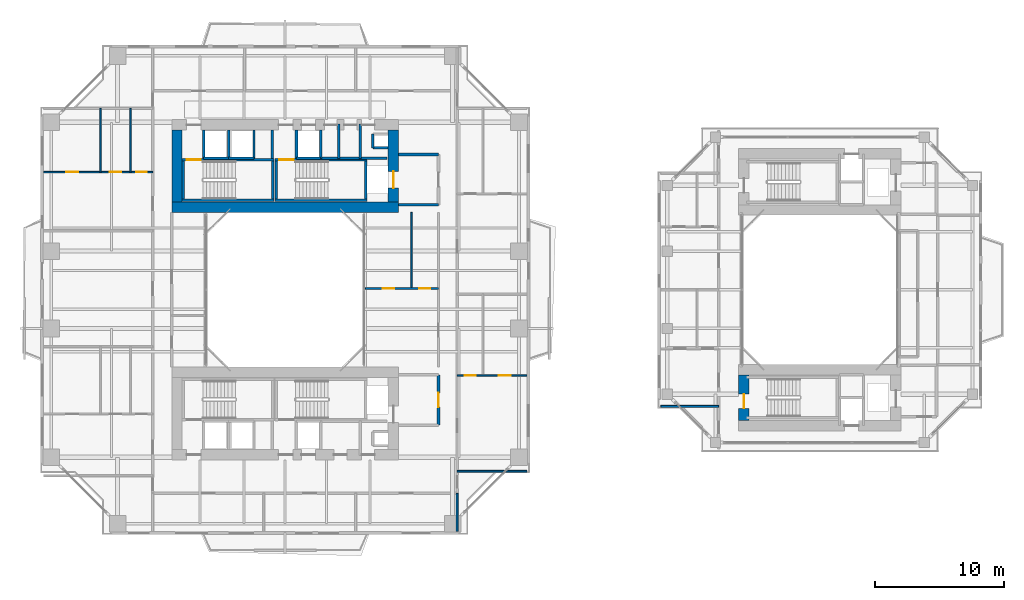
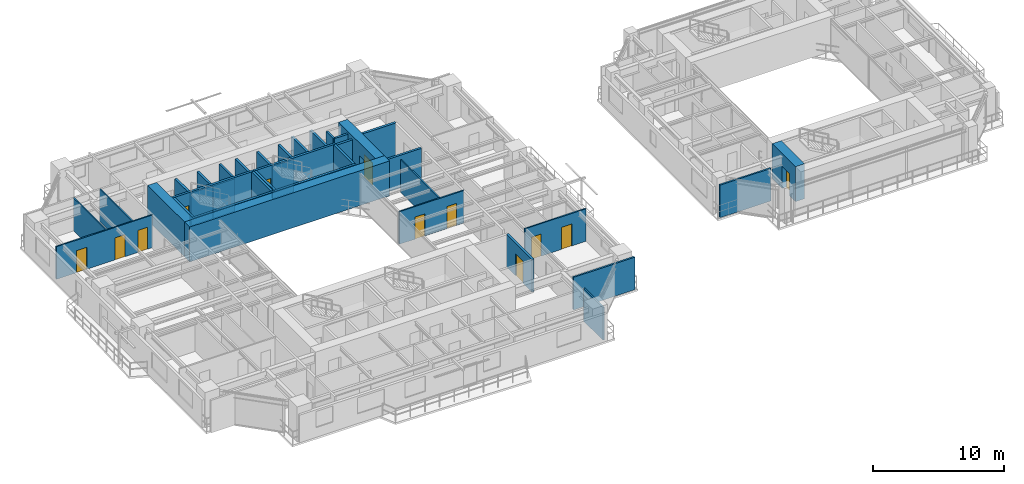
# One storey, part 14 of 23: 38 walls, 12 doors, 12 openings.
"""IFC4 building model written with IfcOpenShell, lengths in metres."""

from ifc_helpers import new_model, si_unit, direction, frame, frame_2d, origin, place, context, subcontext, project, spatial, rectangle, extrude, source, transform, mapped, material, layer, layer_set, type_object, element, fill, save


model = new_model("IFC4")

# Units and contexts
model_context = context("Model", 3, precision=1e-05, world=origin(), true_north=direction((0.0, 1.0)))
body_context = subcontext(model_context, "Body", "Model", "MODEL_VIEW")
ifc_project = project(units=[si_unit("LENGTHUNIT", "METRE"), si_unit("AREAUNIT", "SQUARE_METRE"), si_unit("VOLUMEUNIT", "CUBIC_METRE"), si_unit("PLANEANGLEUNIT", "RADIAN"), si_unit("MASSUNIT", "GRAM", prefix="KILO"), si_unit("THERMODYNAMICTEMPERATUREUNIT", "KELVIN"), si_unit("POWERUNIT", "WATT")], contexts=[model_context])

# Site, building, storey
site_placement = place(None, origin())
site = spatial("IfcSite", under=ifc_project, at=site_placement, CompositionType="ELEMENT")
building_placement = place(site_placement, origin())
building = spatial("IfcBuilding", under=site, at=building_placement, Name="Qiaomeng Ring Towers", CompositionType="ELEMENT")
storey_placement = place(building_placement, frame((0.0, 0.0, 89.25)))
storey = spatial("IfcBuildingStorey", under=building, at=storey_placement, Name="L25", CompositionType="ELEMENT", Elevation=89.25)

# Walls
ifc_material_1 = material(Name="Autoclaved aerated concrete block", Category="concrete")
ifc_layer_1 = layer(ifc_material_1, 0.199951171875, Name="Autoclaved aerated concrete block")
ifc_layer_set_1 = layer_set([ifc_layer_1], Name="Autoclaved aerated concrete block")
wall_type_1 = type_object("IfcWallType", Name="ARC-WL-PW1", PredefinedType="PARTITIONING", material=ifc_layer_set_1)
for number, where, z_axis, x_axis, name in (
    (1, (27.800048828125, 29.60009765625, 0.0), (0.0, 0.0, 1.0), (1.0, 0.0, 0.0), "L25 Interior Wall PW1"),
    (2, (27.800048828125, 33.5, 0.0), (0.0, 0.0, 1.0), (1.0, 0.0, 0.0), "L25 Interior Wall PW1"),
):
    element("IfcWall", number, at=place(storey_placement, frame(where, z_axis=z_axis, x_axis=x_axis)), inside=storey, type_object=wall_type_1, Name=name, PredefinedType="PARTITIONING", context=body_context, shape_type="SweptSolid", body=[
        extrude(rectangle(XDim=3.099853515625, YDim=0.199951171875, at=frame_2d((1.5498046875, 0.0))), origin(), (0.0, 0.0, 1.0), 3.030029296875),
    ])

# Wall, opening, door
wall_1_placement = place(storey_placement, frame((30.89990234375, 12.5, 0.0), z_axis=(0.0, 0.0, 1.0), x_axis=(0.0, 1.0, 0.0)))
wall_1 = element("IfcWall", 3, at=wall_1_placement, inside=storey, type_object=wall_type_1, Name="L25 Interior Wall PW1", PredefinedType="PARTITIONING", context=body_context, shape_type="SweptSolid", body=[
    extrude(rectangle(XDim=3.89990234375, YDim=0.199951171875, at=frame_2d((1.949951171875, 0.0))), origin(), (0.0, 0.0, 1.0), 3.030029296875),
])
opening_1_placement = place(wall_1_placement, frame((1.39990234375, 0.0, 0.0)))
opening_1 = element("IfcOpeningElement", 4, at=opening_1_placement, cuts=wall_1, Name="Opening FD3", PredefinedType="OPENING", context=body_context, shape_type="SweptSolid", body=[
    extrude(rectangle(XDim=1.10009765625, YDim=2.050048828125, at=frame_2d((0.550048828125, 1.02490234375))), frame((0.0, 0.10986328125, 0.0), z_axis=(0.0, -1.0, 0.0), x_axis=(1.0, 0.0, 0.0)), (0.0, 0.0, 1.0), 0.219970703125),
])
ifc_material_2 = material(Name="Galvanised steel", Category="steel")
door_type_1 = type_object("IfcDoorType", Name="ARC-DR-FD3", OperationType="NOTDEFINED", PredefinedType="DOOR", material=ifc_material_2)
shared_shape_1 = source(origin(), body_context, "Body", "SweptSolid", [
    extrude(rectangle(XDim=1.10009765625, YDim=2.050048828125, at=frame_2d((0.550048828125, 1.02490234375))), frame((0.0, 0.02490234375, 0.0), z_axis=(0.0, -1.0, 0.0), x_axis=(1.0, 0.0, 0.0)), (0.0, 0.0, 1.0), 0.050048828125),
])
door_1_placement = place(opening_1_placement, origin())
door_1 = element("IfcDoor", 5, at=door_1_placement, inside=storey, type_object=door_type_1, Name="L25 South FF Lobby Door", OperationType="SINGLE_SWING_LEFT", OverallHeight=2.050048828125, OverallWidth=1.10009765625, PredefinedType="DOOR", context=body_context, shape_type="MappedRepresentation", body=[
    mapped(shared_shape_1, transform((0.0, 0.0, 0.0), x_axis=(1.0, 0.0, 0.0), y_axis=(0.0, 1.0, 0.0), z_axis=(0.0, 0.0, 1.0), scale=1.0)),
])
fill(opening_1, door_1)

# Walls
for number, where, z_axis, x_axis, name in (
    (6, (12.679931640625, 33.18994140625, 0.0), (0.0, 0.0, 1.0), (0.0, 1.0, 0.0), "L25 Interior Wall PW1"),
    (7, (18.0, 33.18994140625, 0.0), (0.0, 0.0, 1.0), (0.0, 1.0, 0.0), "L25 Interior Wall PW1"),
    (8, (19.8798828125, 33.18994140625, 0.0), (0.0, 0.0, 1.0), (0.0, 1.0, 0.0), "L25 Interior Wall PW1"),
):
    element("IfcWall", number, at=place(storey_placement, frame(where, z_axis=z_axis, x_axis=x_axis)), inside=storey, type_object=wall_type_1, Name=name, PredefinedType="PARTITIONING", context=body_context, shape_type="SweptSolid", body=[
        extrude(rectangle(XDim=2.2099609375, YDim=0.199951171875, at=frame_2d((1.10498046875, 0.0))), origin(), (0.0, 0.0, 1.0), 3.030029296875),
    ])
wall_2_placement = place(storey_placement, frame((24.820068359375, 33.199951171875, 0.0), z_axis=(0.0, 0.0, 1.0), x_axis=(0.0, 1.0, 0.0)))
element("IfcWall", 9, at=wall_2_placement, inside=storey, type_object=wall_type_1, Name="L25 Interior Wall PW1", PredefinedType="PARTITIONING", context=body_context, shape_type="SweptSolid", body=[
    extrude(rectangle(XDim=2.650146484375, YDim=0.199951171875, at=frame_2d((1.3251953125, 0.0))), origin(), (0.0, 0.0, 1.0), 3.030029296875),
])
wall_3_placement = place(storey_placement, frame((21.75, 33.199951171875, 0.0), z_axis=(0.0, 0.0, 1.0), x_axis=(0.0, 1.0, 0.0)))
element("IfcWall", 10, at=wall_3_placement, inside=storey, type_object=wall_type_1, Name="L25 Interior Wall PW1", PredefinedType="PARTITIONING", context=body_context, shape_type="SweptSolid", body=[
    extrude(rectangle(XDim=2.199951171875, YDim=0.199951171875, at=frame_2d((1.10009765625, 0.0))), origin(), (0.0, 0.0, 1.0), 3.030029296875),
])
wall_4_placement = place(storey_placement, frame((23.169921875, 33.199951171875, 0.0), z_axis=(0.0, 0.0, 1.0), x_axis=(0.0, 1.0, 0.0)))
element("IfcWall", 11, at=wall_4_placement, inside=storey, type_object=wall_type_1, Name="L25 Interior Wall PW1", PredefinedType="PARTITIONING", context=body_context, shape_type="SweptSolid", body=[
    extrude(rectangle(XDim=2.650146484375, YDim=0.199951171875, at=frame_2d((1.3251953125, 0.0))), origin(), (0.0, 0.0, 1.0), 3.030029296875),
])
wall_5_placement = place(storey_placement, frame((21.75, 33.199951171875, 0.0), z_axis=(0.0, 0.0, 1.0), x_axis=(1.0, 0.0, 0.0)))
element("IfcWall", 12, at=wall_5_placement, inside=storey, type_object=wall_type_1, Name="L25 Interior Wall PW1", PredefinedType="PARTITIONING", context=body_context, shape_type="SweptSolid", body=[
    extrude(rectangle(XDim=5.169921875, YDim=0.199951171875, at=frame_2d((2.5849609375, 0.0))), origin(), (0.0, 0.0, 1.0), 3.030029296875),
])
ifc_material_3 = material(Name="Gypsum fireboard steel-stud partition", Category="steel")
ifc_layer_2 = layer(ifc_material_3, 0.14990234375, Name="Gypsum fireboard steel-stud partition")
ifc_layer_set_2 = layer_set([ifc_layer_2], Name="Gypsum fireboard steel-stud partition")
wall_type_2 = type_object("IfcWallType", Name="ARC-WL-PW3", PredefinedType="PARTITIONING", material=ifc_layer_set_2)
wall_6_placement = place(storey_placement, frame((32.35009765625, 4.25, 0.0), z_axis=(0.0, 0.0, 1.0), x_axis=(0.0, 1.0, 0.0)))
element("IfcWall", 13, at=wall_6_placement, inside=storey, type_object=wall_type_2, Name="L25 Interior Wall PW3", PredefinedType="PARTITIONING", context=body_context, shape_type="SweptSolid", body=[
    extrude(rectangle(XDim=2.9599609375, YDim=0.14990234375, at=frame_2d((1.47998046875, 0.0))), origin(), (0.0, 0.0, 1.0), 3.030029296875),
])
wall_7_placement = place(storey_placement, frame((32.35009765625, 8.919921875, 0.0), z_axis=(0.0, 0.0, 1.0), x_axis=(1.0, 0.0, 0.0)))
element("IfcWall", 14, at=wall_7_placement, inside=storey, type_object=wall_type_2, Name="L25 Interior Wall PW3", PredefinedType="PARTITIONING", context=body_context, shape_type="SweptSolid", body=[
    extrude(rectangle(XDim=5.39990234375, YDim=0.14990234375, at=frame_2d((2.699951171875, 0.0))), origin(), (0.0, 0.0, 1.0), 3.030029296875),
])
wall_8_placement = place(storey_placement, frame((48.14990234375, 13.949951171875, 0.0), z_axis=(0.0, 0.0, 1.0), x_axis=(1.0, 0.0, 0.0)))
element("IfcWall", 15, at=wall_8_placement, inside=storey, type_object=wall_type_2, Name="L25 Interior Wall PW3", PredefinedType="PARTITIONING", context=body_context, shape_type="SweptSolid", body=[
    extrude(rectangle(XDim=4.5, YDim=0.14990234375, at=frame_2d((2.25, 0.0))), origin(), (0.0, 0.0, 1.0), 3.030029296875),
])

# Wall, openings, doors
ifc_material_4 = material(Name="Moisture-resistant gypsum steel-stud partition", Category="steel")
ifc_layer_3 = layer(ifc_material_4, 0.1201171875, Name="Moisture-resistant gypsum steel-stud partition")
ifc_layer_set_3 = layer_set([ifc_layer_3], Name="Moisture-resistant gypsum steel-stud partition")
wall_type_3 = type_object("IfcWallType", Name="ARC-WL-PW4", PredefinedType="PLUMBINGWALL", material=ifc_layer_set_3)
wall_9_placement = place(storey_placement, frame((0.25, 32.139892578125, 0.0), z_axis=(0.0, 0.0, 1.0), x_axis=(1.0, 0.0, 0.0)))
wall_9 = element("IfcWall", 16, at=wall_9_placement, inside=storey, type_object=wall_type_3, Name="L25 Interior Wall PW4", PredefinedType="PLUMBINGWALL", context=body_context, shape_type="SweptSolid", body=[
    extrude(rectangle(XDim=8.469970703125, YDim=0.1201171875, at=frame_2d((4.23486328125, 0.0))), origin(), (0.0, 0.0, 1.0), 3.030029296875),
])
opening_2_placement = place(wall_9_placement, frame((1.77490234375, 0.0, 0.0)))
opening_2 = element("IfcOpeningElement", 17, at=opening_2_placement, cuts=wall_9, Name="Opening ID1", PredefinedType="OPENING", context=body_context, shape_type="SweptSolid", body=[
    extrude(rectangle(XDim=0.89990234375, YDim=2.050048828125, at=frame_2d((0.449951171875, 1.02490234375))), frame((0.0, 0.070068359375, 0.0), z_axis=(0.0, -1.0, 0.0), x_axis=(1.0, 0.0, 0.0)), (0.0, 0.0, 1.0), 0.14013671875),
])
opening_3_placement = place(wall_9_placement, frame((5.139892578125, 0.0, 0.0)))
opening_3 = element("IfcOpeningElement", 18, at=opening_3_placement, cuts=wall_9, Name="Opening ID1", PredefinedType="OPENING", context=body_context, shape_type="SweptSolid", body=[
    extrude(rectangle(XDim=0.89990234375, YDim=2.050048828125, at=frame_2d((0.449951171875, 1.02490234375))), frame((0.0, 0.070068359375, 0.0), z_axis=(0.0, -1.0, 0.0), x_axis=(1.0, 0.0, 0.0)), (0.0, 0.0, 1.0), 0.14013671875),
])
opening_4_placement = place(wall_9_placement, frame((7.175048828125, 0.0, 0.0)))
opening_4 = element("IfcOpeningElement", 19, at=opening_4_placement, cuts=wall_9, Name="Opening ID2", PredefinedType="OPENING", context=body_context, shape_type="SweptSolid", body=[
    extrude(rectangle(XDim=0.85009765625, YDim=2.050048828125, at=frame_2d((0.425048828125, 1.02490234375))), frame((0.0, 0.070068359375, 0.0), z_axis=(0.0, -1.0, 0.0), x_axis=(1.0, 0.0, 0.0)), (0.0, 0.0, 1.0), 0.14013671875),
])
ifc_material_5 = material(Name="Moisture-resistant engineered timber", Category="wood")
door_type_2 = type_object("IfcDoorType", Name="ARC-DR-ID2", OperationType="NOTDEFINED", PredefinedType="DOOR", material=ifc_material_5)
shared_shape_2 = source(origin(), body_context, "Body", "SweptSolid", [
    extrude(rectangle(XDim=0.85009765625, YDim=2.050048828125, at=frame_2d((0.425048828125, 1.02490234375))), frame((0.0, 0.02490234375, 0.0), z_axis=(0.0, -1.0, 0.0), x_axis=(1.0, 0.0, 0.0)), (0.0, 0.0, 1.0), 0.050048828125),
])
door_2_placement = place(opening_4_placement, origin())
door_2 = element("IfcDoor", 20, at=door_2_placement, inside=storey, type_object=door_type_2, Name="L25 Door ID2", OperationType="SINGLE_SWING_RIGHT", OverallHeight=2.050048828125, OverallWidth=0.85009765625, PredefinedType="DOOR", context=body_context, shape_type="MappedRepresentation", body=[
    mapped(shared_shape_2, transform((0.0, 0.0, 0.0), x_axis=(1.0, 0.0, 0.0), y_axis=(0.0, 1.0, 0.0), z_axis=(0.0, 0.0, 1.0), scale=1.0)),
])
fill(opening_4, door_2)
ifc_material_6 = material(Name="Engineered oak timber", Category="wood")
door_type_3 = type_object("IfcDoorType", Name="ARC-DR-ID1", OperationType="NOTDEFINED", PredefinedType="DOOR", material=ifc_material_6)
shared_shape_3 = source(origin(), body_context, "Body", "SweptSolid", [
    extrude(rectangle(XDim=0.89990234375, YDim=2.050048828125, at=frame_2d((0.449951171875, 1.02490234375))), frame((0.0, 0.02490234375, 0.0), z_axis=(0.0, -1.0, 0.0), x_axis=(1.0, 0.0, 0.0)), (0.0, 0.0, 1.0), 0.050048828125),
])
door_3_placement = place(opening_2_placement, origin())
door_3 = element("IfcDoor", 21, at=door_3_placement, inside=storey, type_object=door_type_3, Name="L25 Door ID1", OperationType="SINGLE_SWING_RIGHT", OverallHeight=2.050048828125, OverallWidth=0.89990234375, PredefinedType="DOOR", context=body_context, shape_type="MappedRepresentation", body=[
    mapped(shared_shape_3, transform((0.0, 0.0, 0.0), x_axis=(1.0, 0.0, 0.0), y_axis=(0.0, 1.0, 0.0), z_axis=(0.0, 0.0, 1.0), scale=1.0)),
])
fill(opening_2, door_3)
door_4_placement = place(opening_3_placement, origin())
door_4 = element("IfcDoor", 22, at=door_4_placement, inside=storey, type_object=door_type_3, Name="L25 Door ID1", OperationType="SINGLE_SWING_LEFT", OverallHeight=2.050048828125, OverallWidth=0.89990234375, PredefinedType="DOOR", context=body_context, shape_type="MappedRepresentation", body=[
    mapped(shared_shape_3, transform((0.0, 0.0, 0.0), x_axis=(1.0, 0.0, 0.0), y_axis=(0.0, 1.0, 0.0), z_axis=(0.0, 0.0, 1.0), scale=1.0)),
])
fill(opening_3, door_4)

# Walls
for number, where, z_axis, x_axis, name in (
    (23, (4.679931640625, 32.139892578125, 0.0), (0.0, 0.0, 1.0), (0.0, 1.0, 0.0), "L25 Interior Wall PW4"),
    (24, (7.0, 32.139892578125, 0.0), (0.0, 0.0, 1.0), (0.0, 1.0, 0.0), "L25 Interior Wall PW4"),
):
    element("IfcWall", number, at=place(storey_placement, frame(where, z_axis=z_axis, x_axis=x_axis)), inside=storey, type_object=wall_type_3, Name=name, PredefinedType="PLUMBINGWALL", context=body_context, shape_type="SweptSolid", body=[
        extrude(rectangle(XDim=4.940185546875, YDim=0.1201171875, at=frame_2d((2.47021484375, 0.0))), origin(), (0.0, 0.0, 1.0), 3.030029296875),
    ])

# Wall, openings, doors
wall_10_placement = place(storey_placement, frame((32.35009765625, 16.340087890625, 0.0), z_axis=(0.0, 0.0, 1.0), x_axis=(1.0, 0.0, 0.0)))
wall_10 = element("IfcWall", 25, at=wall_10_placement, inside=storey, type_object=wall_type_3, Name="L25 Interior Wall PW4", PredefinedType="PLUMBINGWALL", context=body_context, shape_type="SweptSolid", body=[
    extrude(rectangle(XDim=5.39990234375, YDim=0.1201171875, at=frame_2d((2.699951171875, 0.0))), origin(), (0.0, 0.0, 1.0), 3.030029296875),
])
opening_5_placement = place(wall_10_placement, frame((0.5849609375, 0.0, 0.0)))
opening_5 = element("IfcOpeningElement", 26, at=opening_5_placement, cuts=wall_10, Name="Opening ID2", PredefinedType="OPENING", context=body_context, shape_type="SweptSolid", body=[
    extrude(rectangle(XDim=0.85009765625, YDim=2.050048828125, at=frame_2d((0.425048828125, 1.02490234375))), frame((0.0, 0.070068359375, 0.0), z_axis=(0.0, -1.0, 0.0), x_axis=(1.0, 0.0, 0.0)), (0.0, 0.0, 1.0), 0.14013671875),
])
opening_6_placement = place(wall_10_placement, frame((3.239990234375, 0.0, 0.0)))
opening_6 = element("IfcOpeningElement", 27, at=opening_6_placement, cuts=wall_10, Name="Opening ID1", PredefinedType="OPENING", context=body_context, shape_type="SweptSolid", body=[
    extrude(rectangle(XDim=0.89990234375, YDim=2.050048828125, at=frame_2d((0.449951171875, 1.02490234375))), frame((0.0, 0.070068359375, 0.0), z_axis=(0.0, -1.0, 0.0), x_axis=(1.0, 0.0, 0.0)), (0.0, 0.0, 1.0), 0.14013671875),
])
door_5_placement = place(opening_5_placement, origin())
door_5 = element("IfcDoor", 28, at=door_5_placement, inside=storey, type_object=door_type_2, Name="L25 Door ID2", OperationType="SINGLE_SWING_RIGHT", OverallHeight=2.050048828125, OverallWidth=0.85009765625, PredefinedType="DOOR", context=body_context, shape_type="MappedRepresentation", body=[
    mapped(shared_shape_2, transform((0.0, 0.0, 0.0), x_axis=(1.0, 0.0, 0.0), y_axis=(0.0, 1.0, 0.0), z_axis=(0.0, 0.0, 1.0), scale=1.0)),
])
fill(opening_5, door_5)
door_6_placement = place(opening_6_placement, origin())
door_6 = element("IfcDoor", 29, at=door_6_placement, inside=storey, type_object=door_type_3, Name="L25 Door ID1", OperationType="SINGLE_SWING_LEFT", OverallHeight=2.050048828125, OverallWidth=0.89990234375, PredefinedType="DOOR", context=body_context, shape_type="MappedRepresentation", body=[
    mapped(shared_shape_3, transform((0.0, 0.0, 0.0), x_axis=(1.0, 0.0, 0.0), y_axis=(0.0, 1.0, 0.0), z_axis=(0.0, 0.0, 1.0), scale=1.0)),
])
fill(opening_6, door_6)

wall_11_placement = place(storey_placement, frame((25.219970703125, 23.10009765625, 0.0), z_axis=(0.0, 0.0, 1.0), x_axis=(1.0, 0.0, 0.0)))
wall_11 = element("IfcWall", 30, at=wall_11_placement, inside=storey, type_object=wall_type_3, Name="L25 Interior Wall PW4", PredefinedType="PLUMBINGWALL", context=body_context, shape_type="SweptSolid", body=[
    extrude(rectangle(XDim=5.679931640625, YDim=0.1201171875, at=frame_2d((2.83984375, 0.0))), origin(), (0.0, 0.0, 1.0), 3.030029296875),
])
opening_7_placement = place(wall_11_placement, frame((1.35009765625, 0.0, 0.0)))
opening_7 = element("IfcOpeningElement", 31, at=opening_7_placement, cuts=wall_11, Name="Opening ID1", PredefinedType="OPENING", context=body_context, shape_type="SweptSolid", body=[
    extrude(rectangle(XDim=0.89990234375, YDim=2.050048828125, at=frame_2d((0.449951171875, 1.02490234375))), frame((0.0, 0.070068359375, 0.0), z_axis=(0.0, -1.0, 0.0), x_axis=(1.0, 0.0, 0.0)), (0.0, 0.0, 1.0), 0.14013671875),
])
opening_8_placement = place(wall_11_placement, frame((4.195068359375, 0.0, 0.0)))
opening_8 = element("IfcOpeningElement", 32, at=opening_8_placement, cuts=wall_11, Name="Opening ID2", PredefinedType="OPENING", context=body_context, shape_type="SweptSolid", body=[
    extrude(rectangle(XDim=0.85009765625, YDim=2.050048828125, at=frame_2d((0.425048828125, 1.02490234375))), frame((0.0, 0.070068359375, 0.0), z_axis=(0.0, -1.0, 0.0), x_axis=(1.0, 0.0, 0.0)), (0.0, 0.0, 1.0), 0.14013671875),
])
door_7_placement = place(opening_8_placement, origin())
door_7 = element("IfcDoor", 33, at=door_7_placement, inside=storey, type_object=door_type_2, Name="L25 Door ID2", OperationType="SINGLE_SWING_LEFT", OverallHeight=2.050048828125, OverallWidth=0.85009765625, PredefinedType="DOOR", context=body_context, shape_type="MappedRepresentation", body=[
    mapped(shared_shape_2, transform((0.0, 0.0, 0.0), x_axis=(1.0, 0.0, 0.0), y_axis=(0.0, 1.0, 0.0), z_axis=(0.0, 0.0, 1.0), scale=1.0)),
])
fill(opening_8, door_7)
door_8_placement = place(opening_7_placement, origin())
door_8 = element("IfcDoor", 34, at=door_8_placement, inside=storey, type_object=door_type_3, Name="L25 Door ID1", OperationType="SINGLE_SWING_RIGHT", OverallHeight=2.050048828125, OverallWidth=0.89990234375, PredefinedType="DOOR", context=body_context, shape_type="MappedRepresentation", body=[
    mapped(shared_shape_3, transform((0.0, 0.0, 0.0), x_axis=(1.0, 0.0, 0.0), y_axis=(0.0, 1.0, 0.0), z_axis=(0.0, 0.0, 1.0), scale=1.0)),
])
fill(opening_7, door_8)

# Walls
wall_12_placement = place(storey_placement, frame((28.800048828125, 23.10009765625, 0.0), z_axis=(0.0, 0.0, 1.0), x_axis=(0.0, 1.0, 0.0)))
element("IfcWall", 35, at=wall_12_placement, inside=storey, type_object=wall_type_3, Name="L25 Interior Wall PW4", PredefinedType="PLUMBINGWALL", context=body_context, shape_type="SweptSolid", body=[
    extrude(rectangle(XDim=5.89990234375, YDim=0.1201171875, at=frame_2d((2.949951171875, 0.0))), origin(), (0.0, 0.0, 1.0), 3.030029296875),
])
ifc_material_7 = material(Name="Concrete C40", Category="concrete")
ifc_layer_4 = layer(ifc_material_7, 0.199951171875, Name="Concrete C40")
ifc_layer_set_4 = layer_set([ifc_layer_4], Name="Concrete C40")
wall_type_4 = type_object("IfcWallType", Name="STR-WL-STSHAFT", PredefinedType="SHEAR", material=ifc_layer_set_4)
wall_13_placement = place(storey_placement, frame((12.679931640625, 33.199951171875, 0.0), z_axis=(0.0, 0.0, 1.0), x_axis=(1.0, 0.0, 0.0)))
element("IfcWall", 36, at=wall_13_placement, inside=storey, type_object=wall_type_4, Name="L25 Lift LP5 Shaft Back Wall", PredefinedType="SHEAR", context=body_context, shape_type="SweptSolid", body=[
    extrude(rectangle(XDim=1.940185546875, YDim=0.179931640625, at=frame_2d((0.97021484375, 0.0))), origin(), (0.0, 0.0, 1.0), 3.030029296875),
])
wall_14_placement = place(storey_placement, frame((14.6201171875, 33.199951171875, 0.0), z_axis=(0.0, 0.0, 1.0), x_axis=(0.0, 1.0, 0.0)))
element("IfcWall", 37, at=wall_14_placement, inside=storey, type_object=wall_type_4, Name="L25 Lift LP5-LP3 Shaft Divider Wall", PredefinedType="SHEAR", context=body_context, shape_type="SweptSolid", body=[
    extrude(rectangle(XDim=2.199951171875, YDim=0.179931640625, at=frame_2d((1.10009765625, 0.0))), origin(), (0.0, 0.0, 1.0), 3.030029296875),
])
wall_15_placement = place(storey_placement, frame((25.800048828125, 34.02001953125, 0.0), z_axis=(0.0, 0.0, 1.0), x_axis=(0.0, 1.0, 0.0)))
element("IfcWall", 38, at=wall_15_placement, inside=storey, type_object=wall_type_4, Name="L25 Riser RSR1 West Shaft Wall N", PredefinedType="SHEAR", context=body_context, shape_type="SweptSolid", body=[
    extrude(rectangle(XDim=1.06005859375, YDim=0.179931640625, at=frame_2d((0.530029296875, 0.0))), origin(), (0.0, 0.0, 1.0), 3.030029296875),
])
wall_16_placement = place(storey_placement, frame((25.800048828125, 34.02001953125, 0.0), z_axis=(0.0, 0.0, 1.0), x_axis=(1.0, 0.0, 0.0)))
element("IfcWall", 39, at=wall_16_placement, inside=storey, type_object=wall_type_4, Name="L25 Riser RSR1 South Shaft Wall N", PredefinedType="SHEAR", context=body_context, shape_type="SweptSolid", body=[
    extrude(rectangle(XDim=1.199951171875, YDim=0.179931640625, at=frame_2d((0.60009765625, 0.0))), origin(), (0.0, 0.0, 1.0), 3.030029296875),
])
wall_17_placement = place(storey_placement, frame((14.6201171875, 33.199951171875, 0.0), z_axis=(0.0, 0.0, 1.0), x_axis=(1.0, 0.0, 0.0)))
element("IfcWall", 40, at=wall_17_placement, inside=storey, type_object=wall_type_4, Name="L25 Lift LP3 Shaft Back Wall", PredefinedType="SHEAR", context=body_context, shape_type="SweptSolid", body=[
    extrude(rectangle(XDim=1.9599609375, YDim=0.179931640625, at=frame_2d((0.97998046875, 0.0))), origin(), (0.0, 0.0, 1.0), 3.030029296875),
])
wall_18_placement = place(storey_placement, frame((16.580078125, 33.199951171875, 0.0), z_axis=(0.0, 0.0, 1.0), x_axis=(0.0, 1.0, 0.0)))
element("IfcWall", 41, at=wall_18_placement, inside=storey, type_object=wall_type_4, Name="L25 Lift LP3 East Shaft Wall", PredefinedType="SHEAR", context=body_context, shape_type="SweptSolid", body=[
    extrude(rectangle(XDim=2.199951171875, YDim=0.179931640625, at=frame_2d((1.10009765625, 0.0))), origin(), (0.0, 0.0, 1.0), 3.030029296875),
])
wall_19_placement = place(storey_placement, frame((19.8798828125, 33.199951171875, 0.0), z_axis=(0.0, 0.0, 1.0), x_axis=(1.0, 0.0, 0.0)))
element("IfcWall", 42, at=wall_19_placement, inside=storey, type_object=wall_type_4, Name="L25 Lift LP1 Shaft Back Wall", PredefinedType="SHEAR", context=body_context, shape_type="SweptSolid", body=[
    extrude(rectangle(XDim=1.8701171875, YDim=0.179931640625, at=frame_2d((0.93505859375, 0.0))), origin(), (0.0, 0.0, 1.0), 3.030029296875),
])
wall_20_placement = place(storey_placement, frame((11.0, 29.949951171875, 0.0), z_axis=(0.0, 0.0, 1.0), x_axis=(1.0, 0.0, 0.0)))
element("IfcWall", 43, at=wall_20_placement, inside=storey, type_object=wall_type_4, Name="L25 Stair ST1 South Shaft Shear Wall", PredefinedType="SHEAR", context=body_context, shape_type="SweptSolid", body=[
    extrude(rectangle(XDim=7.14990234375, YDim=0.199951171875, at=frame_2d((3.574951171875, 0.0))), origin(), (0.0, 0.0, 1.0), 3.25),
])

# Wall, opening, door
wall_21_placement = place(storey_placement, frame((11.0, 33.090087890625, 0.0), z_axis=(0.0, 0.0, 1.0), x_axis=(1.0, 0.0, 0.0)))
wall_21 = element("IfcWall", 44, at=wall_21_placement, inside=storey, type_object=wall_type_4, Name="L25 Stair ST1 North Shaft Shear Wall", PredefinedType="SHEAR", context=body_context, shape_type="SweptSolid", body=[
    extrude(rectangle(XDim=7.14990234375, YDim=0.199951171875, at=frame_2d((3.574951171875, 0.0))), origin(), (0.0, 0.0, 1.0), 3.25),
])
opening_9_placement = place(wall_21_placement, frame((0.35009765625, 0.0, 0.0)))
opening_9 = element("IfcOpeningElement", 45, at=opening_9_placement, cuts=wall_21, Name="Opening FD3", PredefinedType="OPENING", context=body_context, shape_type="SweptSolid", body=[
    extrude(rectangle(XDim=1.10009765625, YDim=2.050048828125, at=frame_2d((0.550048828125, 1.02490234375))), frame((0.0, 0.10986328125, 0.0), z_axis=(0.0, -1.0, 0.0), x_axis=(1.0, 0.0, 0.0)), (0.0, 0.0, 1.0), 0.219970703125),
])
door_9_placement = place(opening_9_placement, origin())
door_9 = element("IfcDoor", 46, at=door_9_placement, inside=storey, type_object=door_type_1, Name="L25 Stair ST1 Exit Door", OperationType="SINGLE_SWING_LEFT", OverallHeight=2.050048828125, OverallWidth=1.10009765625, PredefinedType="DOOR", context=body_context, shape_type="MappedRepresentation", body=[
    mapped(shared_shape_1, transform((0.0, 0.0, 0.0), x_axis=(1.0, 0.0, 0.0), y_axis=(0.0, 1.0, 0.0), z_axis=(0.0, 0.0, 1.0), scale=1.0)),
])
fill(opening_9, door_9)

# Walls
for number, where, z_axis, x_axis, name in (
    (47, (11.10009765625, 30.050048828125, 0.0), (0.0, 0.0, 1.0), (0.0, 1.0, 0.0), "L25 Stair ST1 West Shaft Shear Wall"),
    (48, (18.050048828125, 30.050048828125, 0.0), (0.0, 0.0, 1.0), (0.0, 1.0, 0.0), "L25 Stair ST1 East Shaft Shear Wall"),
):
    element("IfcWall", number, at=place(storey_placement, frame(where, z_axis=z_axis, x_axis=x_axis)), inside=storey, type_object=wall_type_4, Name=name, PredefinedType="SHEAR", context=body_context, shape_type="SweptSolid", body=[
        extrude(rectangle(XDim=2.93994140625, YDim=0.199951171875, at=frame_2d((1.469970703125, 0.0))), origin(), (0.0, 0.0, 1.0), 3.25),
    ])
wall_22_placement = place(storey_placement, frame((18.199951171875, 29.949951171875, 0.0), z_axis=(0.0, 0.0, 1.0), x_axis=(1.0, 0.0, 0.0)))
element("IfcWall", 49, at=wall_22_placement, inside=storey, type_object=wall_type_4, Name="L25 Stair ST2 South Shaft Shear Wall", PredefinedType="SHEAR", context=body_context, shape_type="SweptSolid", body=[
    extrude(rectangle(XDim=7.150146484375, YDim=0.199951171875, at=frame_2d((3.5751953125, 0.0))), origin(), (0.0, 0.0, 1.0), 3.25),
])

# Wall, opening, door
wall_23_placement = place(storey_placement, frame((18.199951171875, 33.090087890625, 0.0), z_axis=(0.0, 0.0, 1.0), x_axis=(1.0, 0.0, 0.0)))
wall_23 = element("IfcWall", 50, at=wall_23_placement, inside=storey, type_object=wall_type_4, Name="L25 Stair ST2 North Shaft Shear Wall", PredefinedType="SHEAR", context=body_context, shape_type="SweptSolid", body=[
    extrude(rectangle(XDim=7.150146484375, YDim=0.199951171875, at=frame_2d((3.5751953125, 0.0))), origin(), (0.0, 0.0, 1.0), 3.25),
])
opening_10_placement = place(wall_23_placement, frame((0.35009765625, 0.0, 0.0)))
opening_10 = element("IfcOpeningElement", 51, at=opening_10_placement, cuts=wall_23, Name="Opening FD3", PredefinedType="OPENING", context=body_context, shape_type="SweptSolid", body=[
    extrude(rectangle(XDim=1.10009765625, YDim=2.050048828125, at=frame_2d((0.550048828125, 1.02490234375))), frame((0.0, 0.10986328125, 0.0), z_axis=(0.0, -1.0, 0.0), x_axis=(1.0, 0.0, 0.0)), (0.0, 0.0, 1.0), 0.219970703125),
])
door_10_placement = place(opening_10_placement, origin())
door_10 = element("IfcDoor", 52, at=door_10_placement, inside=storey, type_object=door_type_1, Name="L25 Stair ST2 Exit Door", OperationType="SINGLE_SWING_LEFT", OverallHeight=2.050048828125, OverallWidth=1.10009765625, PredefinedType="DOOR", context=body_context, shape_type="MappedRepresentation", body=[
    mapped(shared_shape_1, transform((0.0, 0.0, 0.0), x_axis=(1.0, 0.0, 0.0), y_axis=(0.0, 1.0, 0.0), z_axis=(0.0, 0.0, 1.0), scale=1.0)),
])
fill(opening_10, door_10)

# Walls
for number, where, z_axis, x_axis, name in (
    (53, (18.300048828125, 30.050048828125, 0.0), (0.0, 0.0, 1.0), (0.0, 1.0, 0.0), "L25 Stair ST2 West Shaft Shear Wall"),
    (54, (25.25, 30.050048828125, 0.0), (0.0, 0.0, 1.0), (0.0, 1.0, 0.0), "L25 Stair ST2 East Shaft Shear Wall"),
):
    element("IfcWall", number, at=place(storey_placement, frame(where, z_axis=z_axis, x_axis=x_axis)), inside=storey, type_object=wall_type_4, Name=name, PredefinedType="SHEAR", context=body_context, shape_type="SweptSolid", body=[
        extrude(rectangle(XDim=2.93994140625, YDim=0.199951171875, at=frame_2d((1.469970703125, 0.0))), origin(), (0.0, 0.0, 1.0), 3.25),
    ])
ifc_material_8 = material(Name="Concrete C60", Category="concrete")
ifc_layer_5 = layer(ifc_material_8, 0.800048828125, Name="Concrete C60")
ifc_layer_set_5 = layer_set([ifc_layer_5], Name="Concrete C60")
wall_type_5 = type_object("IfcWallType", Name="STR-WL-SW1", PredefinedType="SHEAR", material=ifc_layer_set_5)
wall_24_placement = place(storey_placement, frame((10.199951171875, 29.39990234375, 0.0), z_axis=(0.0, 0.0, 1.0), x_axis=(1.0, 0.0, 0.0)))
element("IfcWall", 55, at=wall_24_placement, inside=storey, type_object=wall_type_5, Name="L25 T1NC south core shear wall", PredefinedType="SHEAR", context=body_context, shape_type="SweptSolid", body=[
    extrude(rectangle(XDim=17.60009765625, YDim=0.800048828125, at=frame_2d((8.800048828125, 0.0))), origin(), (0.0, 0.0, 1.0), 3.25),
])
wall_25_placement = place(storey_placement, frame((10.60009765625, 29.800048828125, 0.0), z_axis=(0.0, 0.0, 1.0), x_axis=(0.0, 1.0, 0.0)))
element("IfcWall", 56, at=wall_25_placement, inside=storey, type_object=wall_type_5, Name="L25 T1NC west core shear wall", PredefinedType="SHEAR", context=body_context, shape_type="SweptSolid", body=[
    extrude(rectangle(XDim=5.599853515625, YDim=0.800048828125, at=frame_2d((2.7998046875, 0.0))), origin(), (0.0, 0.0, 1.0), 3.25),
])

# Wall, opening, door
wall_26_placement = place(storey_placement, frame((27.39990234375, 29.800048828125, 0.0), z_axis=(0.0, 0.0, 1.0), x_axis=(0.0, 1.0, 0.0)))
wall_26 = element("IfcWall", 57, at=wall_26_placement, inside=storey, type_object=wall_type_5, Name="L25 T1NC east core shear wall", PredefinedType="SHEAR", context=body_context, shape_type="SweptSolid", body=[
    extrude(rectangle(XDim=5.599853515625, YDim=0.800048828125, at=frame_2d((2.7998046875, 0.0))), origin(), (0.0, 0.0, 1.0), 3.25),
])
opening_11_placement = place(wall_26_placement, frame((1.10009765625, 0.0, 0.0)))
opening_11 = element("IfcOpeningElement", 58, at=opening_11_placement, cuts=wall_26, Name="Opening LD2", PredefinedType="OPENING", context=body_context, shape_type="SweptSolid", body=[
    extrude(rectangle(XDim=1.300048828125, YDim=2.050048828125, at=frame_2d((0.64990234375, 1.02490234375))), frame((0.0, 0.409912109375, 0.0), z_axis=(0.0, -1.0, 0.0), x_axis=(1.0, 0.0, 0.0)), (0.0, 0.0, 1.0), 0.820068359375),
])
ifc_material_9 = material(Name="Stainless steel 316", Category="steel")
door_type_4 = type_object("IfcDoorType", Name="ARC-DR-LD2", OperationType="NOTDEFINED", PredefinedType="DOOR", material=ifc_material_9)
shared_shape_4 = source(origin(), body_context, "Body", "SweptSolid", [
    extrude(rectangle(XDim=1.300048828125, YDim=2.050048828125, at=frame_2d((0.64990234375, 1.02490234375))), frame((0.0, 0.02490234375, 0.0), z_axis=(0.0, -1.0, 0.0), x_axis=(1.0, 0.0, 0.0)), (0.0, 0.0, 1.0), 0.050048828125),
])
door_11_placement = place(opening_11_placement, origin())
door_11 = element("IfcDoor", 59, at=door_11_placement, inside=storey, type_object=door_type_4, Name="L25 Firefighting Lift FL1 Landing Door", OperationType="SLIDING_TO_LEFT", OverallHeight=2.050048828125, OverallWidth=1.300048828125, PredefinedType="DOOR", context=body_context, shape_type="MappedRepresentation", body=[
    mapped(shared_shape_4, transform((0.0, 0.0, 0.0), x_axis=(1.0, 0.0, 0.0), y_axis=(0.0, 1.0, 0.0), z_axis=(0.0, 0.0, 1.0), scale=1.0)),
])
fill(opening_11, door_11)

wall_27_placement = place(storey_placement, frame((54.60009765625, 12.85009765625, 0.0), z_axis=(0.0, 0.0, 1.0), x_axis=(0.0, 1.0, 0.0)))
wall_27 = element("IfcWall", 60, at=wall_27_placement, inside=storey, type_object=wall_type_5, Name="L25 T2SC west core shear wall", PredefinedType="SHEAR", context=body_context, shape_type="SweptSolid", body=[
    extrude(rectangle(XDim=3.5498046875, YDim=0.800048828125, at=frame_2d((1.77490234375, 0.0))), origin(), (0.0, 0.0, 1.0), 3.25),
])
opening_12_placement = place(wall_27_placement, frame((0.949951171875, 0.0, 0.0)))
opening_12 = element("IfcOpeningElement", 61, at=opening_12_placement, cuts=wall_27, Name="Opening FD3", PredefinedType="OPENING", context=body_context, shape_type="SweptSolid", body=[
    extrude(rectangle(XDim=1.10009765625, YDim=2.050048828125, at=frame_2d((0.550048828125, 1.02490234375))), frame((0.0, 0.409912109375, 0.0), z_axis=(0.0, -1.0, 0.0), x_axis=(1.0, 0.0, 0.0)), (0.0, 0.0, 1.0), 0.820068359375),
])
door_12_placement = place(opening_12_placement, origin())
door_12 = element("IfcDoor", 62, at=door_12_placement, inside=storey, type_object=door_type_1, Name="L25 Stair ST6 Exit Door", OperationType="SINGLE_SWING_RIGHT", OverallHeight=2.050048828125, OverallWidth=1.10009765625, PredefinedType="DOOR", context=body_context, shape_type="MappedRepresentation", body=[
    mapped(shared_shape_1, transform((0.0, 0.0, 0.0), x_axis=(1.0, 0.0, 0.0), y_axis=(0.0, 1.0, 0.0), z_axis=(0.0, 0.0, 1.0), scale=1.0)),
])
fill(opening_12, door_12)

save(model, "model.ifc")
